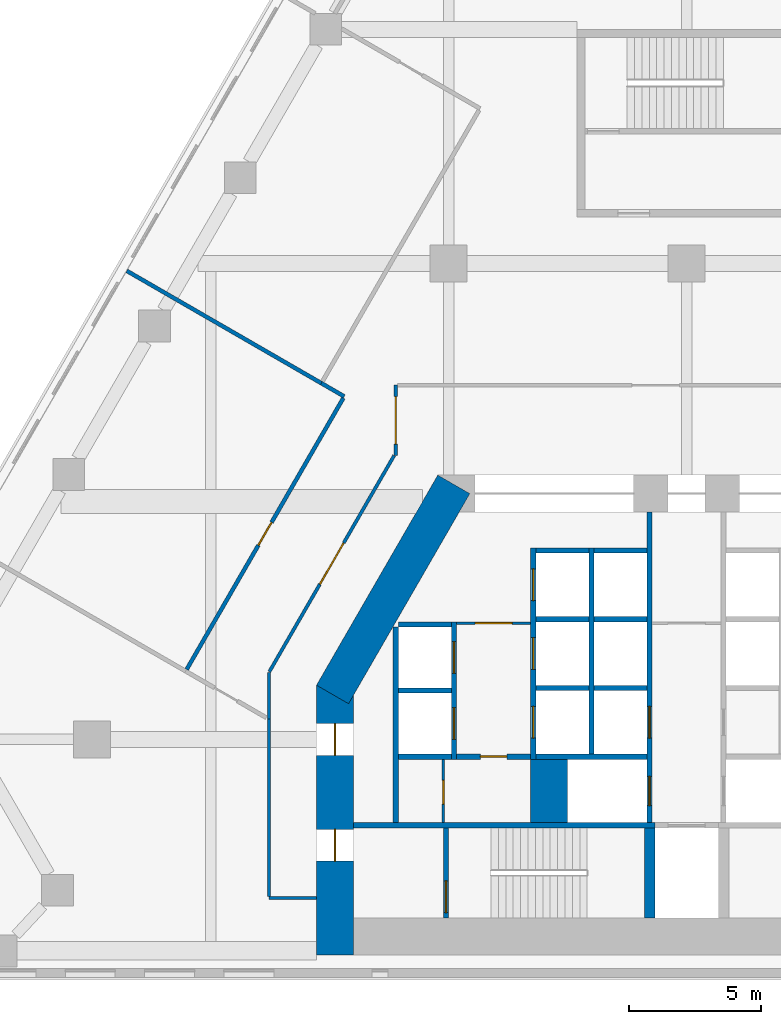
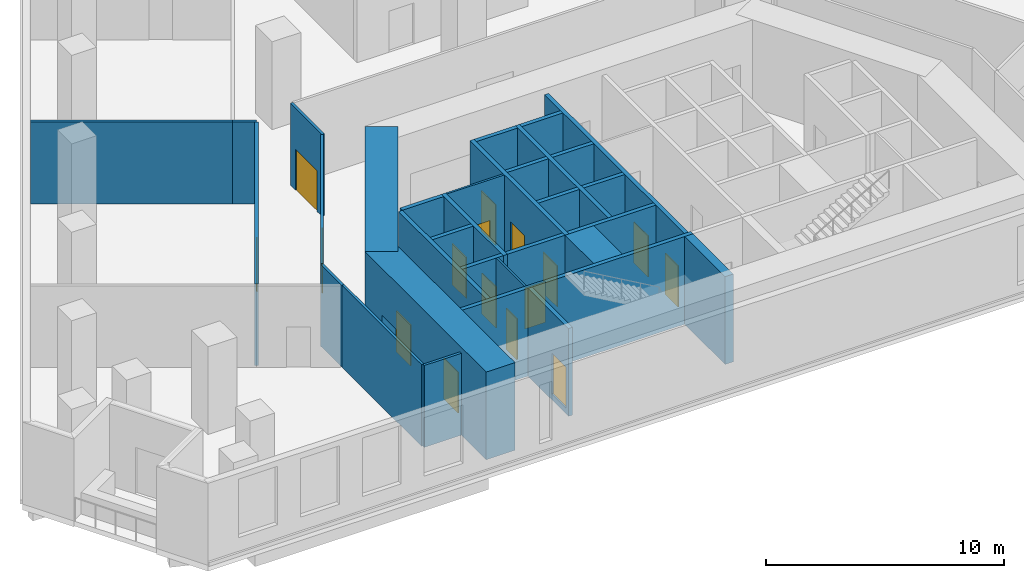
# One storey, part 4 of 14: 32 walls, 16 doors, 16 openings.
"""IFC4 building model written with IfcOpenShell, lengths in metres."""

from ifc_helpers import new_model, si_unit, direction, frame, frame_2d, origin, place, context, subcontext, project, spatial, rectangle, extrude, material, layer, layer_set, type_object, element, fill, save


model = new_model("IFC4")

# Units and contexts
model_context = context("Model", 3, precision=1e-05, world=origin(), true_north=direction((0.0, 1.0)))
body_context = subcontext(model_context, "Body", "Model", "MODEL_VIEW")
ifc_project = project(units=[si_unit("LENGTHUNIT", "METRE"), si_unit("AREAUNIT", "SQUARE_METRE"), si_unit("VOLUMEUNIT", "CUBIC_METRE"), si_unit("PLANEANGLEUNIT", "RADIAN"), si_unit("MASSUNIT", "GRAM", prefix="KILO")], contexts=[model_context])

# Site, building, storey
site_placement = place(None, origin())
site = spatial("IfcSite", under=ifc_project, at=site_placement, CompositionType="ELEMENT")
building_placement = place(site_placement, origin())
building = spatial("IfcBuilding", under=site, at=building_placement, Name="Fogline Exchange Tower", CompositionType="ELEMENT")
storey_placement = place(building_placement, frame((0.0, 0.0, 34.0)))
storey = spatial("IfcBuildingStorey", under=building, at=storey_placement, Name="L06", CompositionType="ELEMENT", Elevation=34.0)

# Wall, opening, door
ifc_material_1 = material(Name="Blockwork partition", Category="masonry")
ifc_layer_1 = layer(ifc_material_1, 0.10009765625)
ifc_layer_set_1 = layer_set([ifc_layer_1], Name="CW10")
wall_type_1 = type_object("IfcWallType", Name="CW10", PredefinedType="PARTITIONING", material=ifc_layer_set_1)
wall_1_placement = place(storey_placement, frame((-8.699951171875, 13.39990234375, 0.0), z_axis=(0.0, 0.0, 1.0), x_axis=(1.0, 0.0, 0.0)))
wall_1 = element("IfcWall", 1, at=wall_1_placement, inside=storey, type_object=wall_type_1, Name="Lift lobby partition", PredefinedType="PARTITIONING", context=body_context, shape_type="SweptSolid", body=[
    extrude(rectangle(XDim=2.800048828125, YDim=0.10009765625, at=frame_2d((1.39990234375, 0.0))), origin(), (0.0, 0.0, 1.0), 4.199951171875),
])
opening_1_placement = place(wall_1_placement, frame((0.699951171875, 0.0, 0.0)))
opening_1 = element("IfcOpeningElement", 2, at=opening_1_placement, cuts=wall_1, Name="Opening T01-C007", PredefinedType="OPENING", context=body_context, shape_type="SweptSolid", body=[
    extrude(rectangle(XDim=1.39990234375, YDim=2.10009765625, at=frame_2d((0.699951171875, 1.050048828125))), frame((0.0, 0.06005859375, 0.0), z_axis=(0.0, -1.0, 0.0), x_axis=(1.0, 0.0, 0.0)), (0.0, 0.0, 1.0), 0.1201171875),
])
ifc_material_2 = material(Name="Steel and timber fire door", Category="steel")
door_type_1 = type_object("IfcDoorType", Name="D-LB1", OperationType="DOUBLE_DOOR_SINGLE_SWING", PredefinedType="DOOR", material=ifc_material_2)
door_1_placement = place(opening_1_placement, frame((1.39990234375, 0.0, 0.0), z_axis=(0.0, 0.0, 1.0), x_axis=(-1.0, 0.0, 0.0)))
door_1 = element("IfcDoor", 3, at=door_1_placement, inside=storey, type_object=door_type_1, Name="Door to lift lobby", OperationType="DOUBLE_DOOR_SINGLE_SWING", OverallHeight=2.10009765625, OverallWidth=1.39990234375, PredefinedType="DOOR", context=body_context, shape_type="SweptSolid", body=[
    extrude(rectangle(XDim=1.39990234375, YDim=2.10009765625, at=frame_2d((0.699951171875, 1.050048828125))), frame((0.0, 0.02490234375, 0.0), z_axis=(0.0, -1.0, 0.0), x_axis=(1.0, 0.0, 0.0)), (0.0, 0.0, 1.0), 0.050048828125),
])
fill(opening_1, door_1)

wall_2_placement = place(storey_placement, frame((-9.199951171875, 5.85009765625, 0.0), z_axis=(0.0, 0.0, 1.0), x_axis=(0.0, 1.0, 0.0)))
wall_2 = element("IfcWall", 4, at=wall_2_placement, inside=storey, type_object=wall_type_1, Name="WC partition", PredefinedType="PARTITIONING", context=body_context, shape_type="SweptSolid", body=[
    extrude(rectangle(XDim=2.39990234375, YDim=0.10009765625, at=frame_2d((1.199951171875, 0.0))), origin(), (0.0, 0.0, 1.0), 4.199951171875),
])
opening_2_placement = place(wall_2_placement, frame((0.699951171875, 0.0, 0.0)))
opening_2 = element("IfcOpeningElement", 5, at=opening_2_placement, cuts=wall_2, Name="Opening T01-C009", PredefinedType="OPENING", context=body_context, shape_type="SweptSolid", body=[
    extrude(rectangle(XDim=0.89990234375, YDim=2.10009765625, at=frame_2d((0.449951171875, 1.050048828125))), frame((0.0, 0.06005859375, 0.0), z_axis=(0.0, -1.0, 0.0), x_axis=(1.0, 0.0, 0.0)), (0.0, 0.0, 1.0), 0.1201171875),
])
door_type_2 = type_object("IfcDoorType", Name="D-CS1", OperationType="SINGLE_SWING_RIGHT", PredefinedType="DOOR", material=ifc_material_2)
door_2_placement = place(opening_2_placement, origin())
door_2 = element("IfcDoor", 6, at=door_2_placement, inside=storey, type_object=door_type_2, Name="Door to Cleaner's Store", OperationType="SINGLE_SWING_LEFT", OverallHeight=2.10009765625, OverallWidth=0.89990234375, PredefinedType="DOOR", context=body_context, shape_type="SweptSolid", body=[
    extrude(rectangle(XDim=0.89990234375, YDim=2.10009765625, at=frame_2d((0.449951171875, 1.050048828125))), frame((0.0, 0.02490234375, 0.0), z_axis=(0.0, -1.0, 0.0), x_axis=(1.0, 0.0, 0.0)), (0.0, 0.0, 1.0), 0.050048828125),
])
fill(opening_2, door_2)

# Walls
ifc_material_3 = material(Name="Concrete C60", Category="concrete")
ifc_layer_2 = layer(ifc_material_3, 1.39990234375)
ifc_layer_set_2 = layer_set([ifc_layer_2], Name="CW140")
wall_type_2 = type_object("IfcWallType", Name="CW140", PredefinedType="SOLIDWALL", material=ifc_layer_set_2)
wall_3_placement = place(storey_placement, frame((-5.199951171875, 5.85009765625, -0.300048828125), z_axis=(0.0, 0.0, 1.0), x_axis=(0.0, 1.0, 0.0)))
element("IfcWall", 7, at=wall_3_placement, inside=storey, type_object=wall_type_2, Name="Lift shaft block wall", PredefinedType="SOLIDWALL", context=body_context, shape_type="SweptSolid", body=[
    extrude(rectangle(XDim=2.39990234375, YDim=1.39990234375, at=frame_2d((1.199951171875, 0.0))), origin(), (0.0, 0.0, 1.0), 4.5),
])
ifc_material_4 = material(Name="Concrete C40", Category="concrete")
ifc_layer_3 = layer(ifc_material_4, 0.199951171875)
ifc_layer_set_3 = layer_set([ifc_layer_3], Name="CW20")
wall_type_3 = type_object("IfcWallType", Name="CW20", PredefinedType="SOLIDWALL", material=ifc_layer_set_3)
wall_4_placement = place(storey_placement, frame((-11.0, 5.85009765625, 0.0), z_axis=(0.0, 0.0, 1.0), x_axis=(0.0, 1.0, 0.0)))
element("IfcWall", 8, at=wall_4_placement, inside=storey, type_object=wall_type_3, Name="Service room wall", PredefinedType="SOLIDWALL", context=body_context, shape_type="SweptSolid", body=[
    extrude(rectangle(XDim=7.39990234375, YDim=0.199951171875, at=frame_2d((3.699951171875, 0.0))), origin(), (0.0, 0.0, 1.0), 4.199951171875),
])

# Wall, opening, door
wall_5_placement = place(storey_placement, frame((-8.699951171875, 8.35009765625, 0.0), z_axis=(0.0, 0.0, 1.0), x_axis=(1.0, 0.0, 0.0)))
wall_5 = element("IfcWall", 9, at=wall_5_placement, inside=storey, type_object=wall_type_3, Name="WC wall", PredefinedType="SOLIDWALL", context=body_context, shape_type="SweptSolid", body=[
    extrude(rectangle(XDim=2.800048828125, YDim=0.199951171875, at=frame_2d((1.39990234375, 0.0))), origin(), (0.0, 0.0, 1.0), 4.199951171875),
])
opening_3_placement = place(wall_5_placement, frame((0.89990234375, 0.0, 0.0)))
opening_3 = element("IfcOpeningElement", 10, at=opening_3_placement, cuts=wall_5, Name="Opening T01-C008", PredefinedType="OPENING", context=body_context, shape_type="SweptSolid", body=[
    extrude(rectangle(XDim=1.0, YDim=2.10009765625, at=frame_2d((0.5, 1.050048828125))), frame((0.0, 0.10986328125, 0.0), z_axis=(0.0, -1.0, 0.0), x_axis=(1.0, 0.0, 0.0)), (0.0, 0.0, 1.0), 0.219970703125),
])
door_type_3 = type_object("IfcDoorType", Name="D-WC1", OperationType="SINGLE_SWING_LEFT", PredefinedType="DOOR", material=ifc_material_2)
door_3_placement = place(opening_3_placement, frame((1.0, 0.0, 0.0), z_axis=(0.0, 0.0, 1.0), x_axis=(-1.0, 0.0, 0.0)))
door_3 = element("IfcDoor", 11, at=door_3_placement, inside=storey, type_object=door_type_3, Name="Door to Men's WC", OperationType="SINGLE_SWING_LEFT", OverallHeight=2.10009765625, OverallWidth=1.0, PredefinedType="DOOR", context=body_context, shape_type="SweptSolid", body=[
    extrude(rectangle(XDim=1.0, YDim=2.10009765625, at=frame_2d((0.5, 1.050048828125))), frame((0.0, 0.02490234375, 0.0), z_axis=(0.0, -1.0, 0.0), x_axis=(1.0, 0.0, 0.0)), (0.0, 0.0, 1.0), 0.050048828125),
])
fill(opening_3, door_3)

# Wall
ifc_layer_4 = layer(ifc_material_4, 0.199951171875)
ifc_layer_set_4 = layer_set([ifc_layer_4], Name="CW20R")
wall_type_4 = type_object("IfcWallType", Name="CW20R", PredefinedType="SOLIDWALL", material=ifc_layer_set_4)
wall_6_placement = place(storey_placement, frame((-12.60009765625, 5.75, -0.300048828125), z_axis=(0.0, 0.0, 1.0), x_axis=(1.0, 0.0, 0.0)))
element("IfcWall", 12, at=wall_6_placement, inside=storey, type_object=wall_type_4, Name="Stair enclosure wall", PredefinedType="SOLIDWALL", context=body_context, shape_type="SweptSolid", body=[
    extrude(rectangle(XDim=11.400146484375, YDim=0.199951171875, at=frame_2d((5.7001953125, 0.0))), origin(), (0.0, 0.0, 1.0), 4.5),
])

# Wall, opening, door
wall_7_placement = place(storey_placement, frame((-9.10009765625, 2.25, -0.300048828125), z_axis=(0.0, 0.0, 1.0), x_axis=(0.0, 1.0, 0.0)))
wall_7 = element("IfcWall", 13, at=wall_7_placement, inside=storey, type_object=wall_type_4, Name="Stair enclosure wall", PredefinedType="SOLIDWALL", context=body_context, shape_type="SweptSolid", body=[
    extrude(rectangle(XDim=3.39990234375, YDim=0.199951171875, at=frame_2d((1.699951171875, 0.0))), origin(), (0.0, 0.0, 1.0), 4.5),
])
opening_4_placement = place(wall_7_placement, frame((0.199951171875, 0.0, 0.300048828125)))
opening_4 = element("IfcOpeningElement", 14, at=opening_4_placement, cuts=wall_7, Name="Opening T01-C011", PredefinedType="OPENING", context=body_context, shape_type="SweptSolid", body=[
    extrude(rectangle(XDim=1.199951171875, YDim=2.10009765625, at=frame_2d((0.60009765625, 1.050048828125))), frame((0.0, 0.10986328125, 0.0), z_axis=(0.0, -1.0, 0.0), x_axis=(1.0, 0.0, 0.0)), (0.0, 0.0, 1.0), 0.219970703125),
])
door_type_4 = type_object("IfcDoorType", Name="D-ST1", OperationType="SINGLE_SWING_LEFT", PredefinedType="DOOR", material=ifc_material_2)
door_4_placement = place(opening_4_placement, frame((1.199951171875, 0.0, 0.0), z_axis=(0.0, 0.0, 1.0), x_axis=(-1.0, 0.0, 0.0)))
door_4 = element("IfcDoor", 15, at=door_4_placement, inside=storey, type_object=door_type_4, Name="Stair door ST1", OperationType="SINGLE_SWING_RIGHT", OverallHeight=2.10009765625, OverallWidth=1.199951171875, PredefinedType="DOOR", context=body_context, shape_type="SweptSolid", body=[
    extrude(rectangle(XDim=1.199951171875, YDim=2.10009765625, at=frame_2d((0.60009765625, 1.050048828125))), frame((0.0, 0.02490234375, 0.0), z_axis=(0.0, -1.0, 0.0), x_axis=(1.0, 0.0, 0.0)), (0.0, 0.0, 1.0), 0.050048828125),
])
fill(opening_4, door_4)

# Wall, openings, doors
ifc_layer_5 = layer(ifc_material_4, 0.199951171875)
ifc_layer_set_5 = layer_set([ifc_layer_5], Name="CW20S")
wall_type_5 = type_object("IfcWallType", Name="CW20S", PredefinedType="SOLIDWALL", material=ifc_layer_set_5)
wall_8_placement = place(storey_placement, frame((-8.800048828125, 8.25, -0.300048828125), z_axis=(0.0, 0.0, 1.0), x_axis=(0.0, 1.0, 0.0)))
wall_8 = element("IfcWall", 16, at=wall_8_placement, inside=storey, type_object=wall_type_5, Name="Lift shaft wall", PredefinedType="SOLIDWALL", context=body_context, shape_type="SweptSolid", body=[
    extrude(rectangle(XDim=5.199951171875, YDim=0.199951171875, at=frame_2d((2.60009765625, 0.0))), origin(), (0.0, 0.0, 1.0), 4.5),
])
opening_5_placement = place(wall_8_placement, frame((0.75, 0.0, 0.300048828125)))
opening_5 = element("IfcOpeningElement", 17, at=opening_5_placement, cuts=wall_8, Name="Opening T01-LD01", PredefinedType="OPENING", context=body_context, shape_type="SweptSolid", body=[
    extrude(rectangle(XDim=1.199951171875, YDim=2.10009765625, at=frame_2d((0.60009765625, 1.050048828125))), frame((0.0, 0.10986328125, 0.0), z_axis=(0.0, -1.0, 0.0), x_axis=(1.0, 0.0, 0.0)), (0.0, 0.0, 1.0), 0.219970703125),
])
opening_6_placement = place(wall_8_placement, frame((3.25, 0.0, 0.300048828125)))
opening_6 = element("IfcOpeningElement", 18, at=opening_6_placement, cuts=wall_8, Name="Opening T01-LD02", PredefinedType="OPENING", context=body_context, shape_type="SweptSolid", body=[
    extrude(rectangle(XDim=1.199951171875, YDim=2.10009765625, at=frame_2d((0.60009765625, 1.050048828125))), frame((0.0, 0.10986328125, 0.0), z_axis=(0.0, -1.0, 0.0), x_axis=(1.0, 0.0, 0.0)), (0.0, 0.0, 1.0), 0.219970703125),
])
door_type_5 = type_object("IfcDoorType", Name="LD1", OperationType="SLIDING_TO_LEFT", PredefinedType="DOOR", material=ifc_material_2)
door_5_placement = place(opening_5_placement, origin())
door_5 = element("IfcDoor", 19, at=door_5_placement, inside=storey, type_object=door_type_5, Name="Landing door LR1", OperationType="SLIDING_TO_LEFT", OverallHeight=2.10009765625, OverallWidth=1.199951171875, PredefinedType="DOOR", context=body_context, shape_type="SweptSolid", body=[
    extrude(rectangle(XDim=1.199951171875, YDim=2.10009765625, at=frame_2d((0.60009765625, 1.050048828125))), frame((0.0, 0.02490234375, 0.0), z_axis=(0.0, -1.0, 0.0), x_axis=(1.0, 0.0, 0.0)), (0.0, 0.0, 1.0), 0.050048828125),
])
fill(opening_5, door_5)
door_6_placement = place(opening_6_placement, origin())
door_6 = element("IfcDoor", 20, at=door_6_placement, inside=storey, type_object=door_type_5, Name="Landing door LR2", OperationType="SLIDING_TO_LEFT", OverallHeight=2.10009765625, OverallWidth=1.199951171875, PredefinedType="DOOR", context=body_context, shape_type="SweptSolid", body=[
    extrude(rectangle(XDim=1.199951171875, YDim=2.10009765625, at=frame_2d((0.60009765625, 1.050048828125))), frame((0.0, 0.02490234375, 0.0), z_axis=(0.0, -1.0, 0.0), x_axis=(1.0, 0.0, 0.0)), (0.0, 0.0, 1.0), 0.050048828125),
])
fill(opening_6, door_6)

wall_9_placement = place(storey_placement, frame((-5.800048828125, 8.25, -0.300048828125), z_axis=(0.0, 0.0, 1.0), x_axis=(0.0, 1.0, 0.0)))
wall_9 = element("IfcWall", 21, at=wall_9_placement, inside=storey, type_object=wall_type_5, Name="Lift shaft wall", PredefinedType="SOLIDWALL", context=body_context, shape_type="SweptSolid", body=[
    extrude(rectangle(XDim=8.0, YDim=0.199951171875, at=frame_2d((4.0, 0.0))), origin(), (0.0, 0.0, 1.0), 4.5),
])
opening_7_placement = place(wall_9_placement, frame((0.800048828125, 0.0, 0.300048828125)))
opening_7 = element("IfcOpeningElement", 22, at=opening_7_placement, cuts=wall_9, Name="Opening T01-LD03", PredefinedType="OPENING", context=body_context, shape_type="SweptSolid", body=[
    extrude(rectangle(XDim=1.199951171875, YDim=2.10009765625, at=frame_2d((0.60009765625, 1.050048828125))), frame((0.0, 0.10986328125, 0.0), z_axis=(0.0, -1.0, 0.0), x_axis=(1.0, 0.0, 0.0)), (0.0, 0.0, 1.0), 0.219970703125),
])
opening_8_placement = place(wall_9_placement, frame((3.39990234375, 0.0, 0.300048828125)))
opening_8 = element("IfcOpeningElement", 23, at=opening_8_placement, cuts=wall_9, Name="Opening T01-LD04", PredefinedType="OPENING", context=body_context, shape_type="SweptSolid", body=[
    extrude(rectangle(XDim=1.199951171875, YDim=2.10009765625, at=frame_2d((0.60009765625, 1.050048828125))), frame((0.0, 0.10986328125, 0.0), z_axis=(0.0, -1.0, 0.0), x_axis=(1.0, 0.0, 0.0)), (0.0, 0.0, 1.0), 0.219970703125),
])
opening_9_placement = place(wall_9_placement, frame((6.0, 0.0, 0.300048828125)))
opening_9 = element("IfcOpeningElement", 24, at=opening_9_placement, cuts=wall_9, Name="Opening T01-LD05", PredefinedType="OPENING", context=body_context, shape_type="SweptSolid", body=[
    extrude(rectangle(XDim=1.199951171875, YDim=2.10009765625, at=frame_2d((0.60009765625, 1.050048828125))), frame((0.0, 0.10986328125, 0.0), z_axis=(0.0, -1.0, 0.0), x_axis=(1.0, 0.0, 0.0)), (0.0, 0.0, 1.0), 0.219970703125),
])
door_7_placement = place(opening_7_placement, origin())
door_7 = element("IfcDoor", 25, at=door_7_placement, inside=storey, type_object=door_type_5, Name="Landing door LR3", OperationType="SLIDING_TO_LEFT", OverallHeight=2.10009765625, OverallWidth=1.199951171875, PredefinedType="DOOR", context=body_context, shape_type="SweptSolid", body=[
    extrude(rectangle(XDim=1.199951171875, YDim=2.10009765625, at=frame_2d((0.60009765625, 1.050048828125))), frame((0.0, 0.02490234375, 0.0), z_axis=(0.0, -1.0, 0.0), x_axis=(1.0, 0.0, 0.0)), (0.0, 0.0, 1.0), 0.050048828125),
])
fill(opening_7, door_7)
door_8_placement = place(opening_8_placement, origin())
door_8 = element("IfcDoor", 26, at=door_8_placement, inside=storey, type_object=door_type_5, Name="Landing door LR4", OperationType="SLIDING_TO_LEFT", OverallHeight=2.10009765625, OverallWidth=1.199951171875, PredefinedType="DOOR", context=body_context, shape_type="SweptSolid", body=[
    extrude(rectangle(XDim=1.199951171875, YDim=2.10009765625, at=frame_2d((0.60009765625, 1.050048828125))), frame((0.0, 0.02490234375, 0.0), z_axis=(0.0, -1.0, 0.0), x_axis=(1.0, 0.0, 0.0)), (0.0, 0.0, 1.0), 0.050048828125),
])
fill(opening_8, door_8)
door_9_placement = place(opening_9_placement, origin())
door_9 = element("IfcDoor", 27, at=door_9_placement, inside=storey, type_object=door_type_5, Name="Landing door LR5", OperationType="SLIDING_TO_LEFT", OverallHeight=2.10009765625, OverallWidth=1.199951171875, PredefinedType="DOOR", context=body_context, shape_type="SweptSolid", body=[
    extrude(rectangle(XDim=1.199951171875, YDim=2.10009765625, at=frame_2d((0.60009765625, 1.050048828125))), frame((0.0, 0.02490234375, 0.0), z_axis=(0.0, -1.0, 0.0), x_axis=(1.0, 0.0, 0.0)), (0.0, 0.0, 1.0), 0.050048828125),
])
fill(opening_9, door_9)

# Wall
wall_10_placement = place(storey_placement, frame((-3.60009765625, 8.449951171875, -0.300048828125), z_axis=(0.0, 0.0, 1.0), x_axis=(0.0, 1.0, 0.0)))
element("IfcWall", 28, at=wall_10_placement, inside=storey, type_object=wall_type_5, Name="Lift shaft wall", PredefinedType="SOLIDWALL", context=body_context, shape_type="SweptSolid", body=[
    extrude(rectangle(XDim=7.800048828125, YDim=0.199951171875, at=frame_2d((3.89990234375, 0.0))), origin(), (0.0, 0.0, 1.0), 4.5),
])

# Wall, openings, doors
wall_11_placement = place(storey_placement, frame((-1.39990234375, 5.85009765625, -0.300048828125), z_axis=(0.0, 0.0, 1.0), x_axis=(0.0, 1.0, 0.0)))
wall_11 = element("IfcWall", 29, at=wall_11_placement, inside=storey, type_object=wall_type_5, Name="Lift lobby wall", PredefinedType="SOLIDWALL", context=body_context, shape_type="SweptSolid", body=[
    extrude(rectangle(XDim=11.75, YDim=0.199951171875, at=frame_2d((5.875, 0.0))), origin(), (0.0, 0.0, 1.0), 4.5),
])
opening_10_placement = place(wall_11_placement, frame((3.199951171875, 0.0, 0.300048828125)))
opening_10 = element("IfcOpeningElement", 30, at=opening_10_placement, cuts=wall_11, Name="Opening T01-LD06", PredefinedType="OPENING", context=body_context, shape_type="SweptSolid", body=[
    extrude(rectangle(XDim=1.199951171875, YDim=2.10009765625, at=frame_2d((0.60009765625, 1.050048828125))), frame((0.0, 0.10986328125, 0.0), z_axis=(0.0, -1.0, 0.0), x_axis=(1.0, 0.0, 0.0)), (0.0, 0.0, 1.0), 0.219970703125),
])
opening_11_placement = place(wall_11_placement, frame((0.64990234375, 0.0, 0.300048828125)))
opening_11 = element("IfcOpeningElement", 31, at=opening_11_placement, cuts=wall_11, Name="Opening T01-LD07", PredefinedType="OPENING", context=body_context, shape_type="SweptSolid", body=[
    extrude(rectangle(XDim=1.10009765625, YDim=2.10009765625, at=frame_2d((0.550048828125, 1.050048828125))), frame((0.0, 0.10986328125, 0.0), z_axis=(0.0, -1.0, 0.0), x_axis=(1.0, 0.0, 0.0)), (0.0, 0.0, 1.0), 0.219970703125),
])
door_10_placement = place(opening_10_placement, origin())
door_10 = element("IfcDoor", 32, at=door_10_placement, inside=storey, type_object=door_type_5, Name="Landing door LR6", OperationType="SLIDING_TO_LEFT", OverallHeight=2.10009765625, OverallWidth=1.199951171875, PredefinedType="DOOR", context=body_context, shape_type="SweptSolid", body=[
    extrude(rectangle(XDim=1.199951171875, YDim=2.10009765625, at=frame_2d((0.60009765625, 1.050048828125))), frame((0.0, 0.02490234375, 0.0), z_axis=(0.0, -1.0, 0.0), x_axis=(1.0, 0.0, 0.0)), (0.0, 0.0, 1.0), 0.050048828125),
])
fill(opening_10, door_10)
door_type_6 = type_object("IfcDoorType", Name="LD2", OperationType="SLIDING_TO_RIGHT", PredefinedType="DOOR", material=ifc_material_2)
door_11_placement = place(opening_11_placement, origin())
door_11 = element("IfcDoor", 33, at=door_11_placement, inside=storey, type_object=door_type_6, Name="Landing door FF1", OperationType="SLIDING_TO_RIGHT", OverallHeight=2.10009765625, OverallWidth=1.10009765625, PredefinedType="DOOR", context=body_context, shape_type="SweptSolid", body=[
    extrude(rectangle(XDim=1.10009765625, YDim=2.10009765625, at=frame_2d((0.550048828125, 1.050048828125))), frame((0.0, 0.02490234375, 0.0), z_axis=(0.0, -1.0, 0.0), x_axis=(1.0, 0.0, 0.0)), (0.0, 0.0, 1.0), 0.050048828125),
])
fill(opening_11, door_11)

# Walls
wall_12_placement = place(storey_placement, frame((-10.89990234375, 8.35009765625, -0.300048828125), z_axis=(0.0, 0.0, 1.0), x_axis=(1.0, 0.0, 0.0)))
element("IfcWall", 34, at=wall_12_placement, inside=storey, type_object=wall_type_5, Name="Lift shaft wall", PredefinedType="SOLIDWALL", context=body_context, shape_type="SweptSolid", body=[
    extrude(rectangle(XDim=2.0, YDim=0.199951171875, at=frame_2d((1.0, 0.0))), origin(), (0.0, 0.0, 1.0), 4.5),
])
wall_13_placement = place(storey_placement, frame((-5.699951171875, 8.35009765625, -0.300048828125), z_axis=(0.0, 0.0, 1.0), x_axis=(1.0, 0.0, 0.0)))
element("IfcWall", 35, at=wall_13_placement, inside=storey, type_object=wall_type_5, Name="Lift shaft wall", PredefinedType="SOLIDWALL", context=body_context, shape_type="SweptSolid", body=[
    extrude(rectangle(XDim=4.199951171875, YDim=0.199951171875, at=frame_2d((2.10009765625, 0.0))), origin(), (0.0, 0.0, 1.0), 4.5),
])
for number, where, z_axis, x_axis, name in (
    (36, (-10.89990234375, 10.85009765625, -0.300048828125), (0.0, 0.0, 1.0), (1.0, 0.0, 0.0), "Lift shaft wall"),
    (37, (-10.89990234375, 13.35009765625, -0.300048828125), (0.0, 0.0, 1.0), (1.0, 0.0, 0.0), "Lift shaft wall"),
    (38, (-5.699951171875, 10.949951171875, -0.300048828125), (0.0, 0.0, 1.0), (1.0, 0.0, 0.0), "Lift shaft wall"),
    (39, (-5.699951171875, 13.550048828125, -0.300048828125), (0.0, 0.0, 1.0), (1.0, 0.0, 0.0), "Lift shaft wall"),
    (40, (-5.699951171875, 16.14990234375, -0.300048828125), (0.0, 0.0, 1.0), (1.0, 0.0, 0.0), "Lift shaft wall"),
    (41, (-3.5, 10.949951171875, -0.300048828125), (0.0, 0.0, 1.0), (1.0, 0.0, 0.0), "Lift shaft wall"),
    (42, (-3.5, 13.550048828125, -0.300048828125), (0.0, 0.0, 1.0), (1.0, 0.0, 0.0), "Lift shaft wall"),
    (43, (-3.5, 16.14990234375, -0.300048828125), (0.0, 0.0, 1.0), (1.0, 0.0, 0.0), "Lift shaft wall"),
):
    element("IfcWall", number, at=place(storey_placement, frame(where, z_axis=z_axis, x_axis=x_axis)), inside=storey, type_object=wall_type_5, Name=name, PredefinedType="SOLIDWALL", context=body_context, shape_type="SweptSolid", body=[
        extrude(rectangle(XDim=2.0, YDim=0.199951171875, at=frame_2d((1.0, 0.0))), origin(), (0.0, 0.0, 1.0), 4.5),
    ])
ifc_layer_6 = layer(ifc_material_4, 0.39990234375)
ifc_layer_set_6 = layer_set([ifc_layer_6], Name="CW40R")
wall_type_6 = type_object("IfcWallType", Name="CW40R", PredefinedType="SOLIDWALL", material=ifc_layer_set_6)
wall_14_placement = place(storey_placement, frame((-1.39990234375, 2.25, -0.300048828125), z_axis=(0.0, 0.0, 1.0), x_axis=(0.0, 1.0, 0.0)))
element("IfcWall", 44, at=wall_14_placement, inside=storey, type_object=wall_type_6, Name="Stair and lift shaft wall", PredefinedType="SOLIDWALL", context=body_context, shape_type="SweptSolid", body=[
    extrude(rectangle(XDim=3.39990234375, YDim=0.39990234375, at=frame_2d((1.699951171875, 0.0))), origin(), (0.0, 0.0, 1.0), 4.5),
])

# Wall, opening, door
ifc_material_5 = material(Name="Plasterboard corridor partition with mineral wool, 2 layers each side")
ifc_layer_7 = layer(ifc_material_5, 0.125)
ifc_layer_set_7 = layer_set([ifc_layer_7], Name="PW2")
wall_type_7 = type_object("IfcWallType", Name="PW2", PredefinedType="PARTITIONING", material=ifc_layer_set_7)
wall_15_placement = place(storey_placement, frame((-11.0, 19.739990234375, 0.0), z_axis=(0.0, 0.0, 1.0), x_axis=(0.0, 1.0, 0.0)))
wall_15 = element("IfcWall", 45, at=wall_15_placement, inside=storey, type_object=wall_type_7, Name="wall-L06-W005", PredefinedType="PARTITIONING", context=body_context, shape_type="SweptSolid", body=[
    extrude(rectangle(XDim=2.659912109375, YDim=0.125, at=frame_2d((1.330078125, 0.0))), origin(), (0.0, 0.0, 1.0), 4.199951171875),
])
opening_12_placement = place(wall_15_placement, frame((0.429931640625, 0.0, 0.0)))
opening_12 = element("IfcOpeningElement", 46, at=opening_12_placement, cuts=wall_15, Name="Opening T01-D002", PredefinedType="OPENING", context=body_context, shape_type="SweptSolid", body=[
    extrude(rectangle(XDim=1.800048828125, YDim=2.10009765625, at=frame_2d((0.89990234375, 1.050048828125))), frame((0.0, 0.072509765625, 0.0), z_axis=(0.0, -1.0, 0.0), x_axis=(1.0, 0.0, 0.0)), (0.0, 0.0, 1.0), 0.14501953125),
])
ifc_material_6 = material(Name="Fire-rated timber door leaves with steel frame", Category="steel")
door_type_7 = type_object("IfcDoorType", Name="D4", OperationType="DOUBLE_DOOR_SINGLE_SWING", PredefinedType="DOOR", material=ifc_material_6)
door_12_placement = place(opening_12_placement, frame((1.800048828125, 0.0, 0.0), z_axis=(0.0, 0.0, 1.0), x_axis=(-1.0, 0.0, 0.0)))
door_12 = element("IfcDoor", 47, at=door_12_placement, inside=storey, type_object=door_type_7, Name="door-L06-D002", OperationType="DOUBLE_DOOR_SINGLE_SWING", OverallHeight=2.10009765625, OverallWidth=1.800048828125, PredefinedType="DOOR", context=body_context, shape_type="SweptSolid", body=[
    extrude(rectangle(XDim=1.800048828125, YDim=2.10009765625, at=frame_2d((0.89990234375, 1.050048828125))), frame((0.0, 0.02490234375, 0.0), z_axis=(0.0, -1.0, 0.0), x_axis=(1.0, 0.0, 0.0)), (0.0, 0.0, 1.0), 0.050048828125),
])
fill(opening_12, door_12)

# Wall
wall_16_placement = place(storey_placement, frame((-15.800048828125, 9.765869140625, 0.0), z_axis=(0.0, 0.0, 1.0), x_axis=(0.0, 1.0, 0.0)))
element("IfcWall", 48, at=wall_16_placement, inside=storey, type_object=wall_type_7, Name="wall-L06-W009", PredefinedType="PARTITIONING", context=body_context, shape_type="SweptSolid", body=[
    extrude(rectangle(XDim=1.76904296875, YDim=0.125, at=frame_2d((0.884521484375, 0.0))), origin(), (0.0, 0.0, 1.0), 4.199951171875),
])

# Wall, opening, door
wall_17_placement = place(storey_placement, frame((-15.784423828125, 11.56201171875, 0.0), z_axis=(0.0, 0.0, 1.0), x_axis=(0.500006656899, 0.866021560388, 0.0)))
wall_17 = element("IfcWall", 49, at=wall_17_placement, inside=storey, type_object=wall_type_7, Name="wall-L06-W010", PredefinedType="PARTITIONING", context=body_context, shape_type="SweptSolid", body=[
    extrude(rectangle(XDim=9.443603515625, YDim=0.125, at=frame_2d((4.7216796875, 0.0))), origin(), (0.0, 0.0, 1.0), 4.199951171875),
])
opening_13_placement = place(wall_17_placement, frame((3.822021484375, 0.0, 0.0)))
opening_13 = element("IfcOpeningElement", 50, at=opening_13_placement, cuts=wall_17, Name="Opening T01-D005", PredefinedType="OPENING", context=body_context, shape_type="SweptSolid", body=[
    extrude(rectangle(XDim=1.800048828125, YDim=2.10009765625, at=frame_2d((0.89990234375, 1.050048828125))), frame((0.0, 0.072509765625, 0.0), z_axis=(0.0, -1.0, 0.0), x_axis=(1.0, 0.0, 0.0)), (0.0, 0.0, 1.0), 0.14501953125),
])
door_13_placement = place(opening_13_placement, frame((1.800048828125, 0.0, 0.0), z_axis=(0.0, 0.0, 1.0), x_axis=(-1.0, 0.0, 0.0)))
door_13 = element("IfcDoor", 51, at=door_13_placement, inside=storey, type_object=door_type_7, Name="door-L06-D005", OperationType="DOUBLE_DOOR_SINGLE_SWING", OverallHeight=2.10009765625, OverallWidth=1.800048828125, PredefinedType="DOOR", context=body_context, shape_type="SweptSolid", body=[
    extrude(rectangle(XDim=1.800048828125, YDim=2.10009765625, at=frame_2d((0.89990234375, 1.050048828125))), frame((0.0, 0.02490234375, 0.0), z_axis=(0.0, -1.0, 0.0), x_axis=(1.0, 0.0, 0.0)), (0.0, 0.0, 1.0), 0.050048828125),
])
fill(opening_13, door_13)

# Walls
wall_18_placement = place(storey_placement, frame((-14.0, 3.0, 0.0), z_axis=(0.0, 0.0, 1.0), x_axis=(-1.0, 0.0, 0.0)))
element("IfcWall", 52, at=wall_18_placement, inside=storey, type_object=wall_type_7, Name="wall-L06-W011", PredefinedType="PARTITIONING", context=body_context, shape_type="SweptSolid", body=[
    extrude(rectangle(XDim=1.800048828125, YDim=0.125, at=frame_2d((0.89990234375, 0.0))), origin(), (0.0, 0.0, 1.0), 4.199951171875),
])
wall_19_placement = place(storey_placement, frame((-15.800048828125, 3.0625, 0.0), z_axis=(0.0, 0.0, 1.0), x_axis=(0.0, 1.0, 0.0)))
element("IfcWall", 53, at=wall_19_placement, inside=storey, type_object=wall_type_7, Name="wall-L06-W012", PredefinedType="PARTITIONING", context=body_context, shape_type="SweptSolid", body=[
    extrude(rectangle(XDim=6.703369140625, YDim=0.125, at=frame_2d((3.3515625, 0.0))), origin(), (0.0, 0.0, 1.0), 4.199951171875),
])

# Wall, opening, door
ifc_material_7 = material(Name="Plasterboard demising partition with mineral wool and acoustic board")
ifc_layer_8 = layer(ifc_material_7, 0.14990234375)
ifc_layer_set_8 = layer_set([ifc_layer_8], Name="PW3")
wall_type_8 = type_object("IfcWallType", Name="PW3", PredefinedType="PARTITIONING", material=ifc_layer_set_8)
wall_20_placement = place(storey_placement, frame((-18.912109375, 11.6494140625, 0.0), z_axis=(0.0, 0.0, 1.0), x_axis=(0.500010179592, 0.866019526514, 0.0)))
wall_20 = element("IfcWall", 54, at=wall_20_placement, inside=storey, type_object=wall_type_8, Name="wall-L06-W033", PredefinedType="PARTITIONING", context=body_context, shape_type="SweptSolid", body=[
    extrude(rectangle(XDim=11.849853515625, YDim=0.14990234375, at=frame_2d((5.9248046875, 0.0))), origin(), (0.0, 0.0, 1.0), 4.199951171875),
])
opening_14_placement = place(wall_20_placement, frame((5.425048828125, 0.0, 0.0)))
opening_14 = element("IfcOpeningElement", 55, at=opening_14_placement, cuts=wall_20, Name="Opening T01-D012", PredefinedType="OPENING", context=body_context, shape_type="SweptSolid", body=[
    extrude(rectangle(XDim=1.0, YDim=2.10009765625, at=frame_2d((0.5, 1.050048828125))), frame((0.0, 0.0849609375, 0.0), z_axis=(0.0, -1.0, 0.0), x_axis=(1.0, 0.0, 0.0)), (0.0, 0.0, 1.0), 0.169921875),
])
ifc_material_8 = material(Name="Fire-rated timber door leaf with steel frame", Category="steel")
door_type_8 = type_object("IfcDoorType", Name="D3", OperationType="SINGLE_SWING_LEFT", PredefinedType="DOOR", material=ifc_material_8)
door_14_placement = place(opening_14_placement, origin())
door_14 = element("IfcDoor", 56, at=door_14_placement, inside=storey, type_object=door_type_8, Name="door-L06-D012", OperationType="SINGLE_SWING_LEFT", OverallHeight=2.10009765625, OverallWidth=1.0, PredefinedType="DOOR", context=body_context, shape_type="SweptSolid", body=[
    extrude(rectangle(XDim=1.0, YDim=2.10009765625, at=frame_2d((0.5, 1.050048828125))), frame((0.0, 0.02490234375, 0.0), z_axis=(0.0, -1.0, 0.0), x_axis=(1.0, 0.0, 0.0)), (0.0, 0.0, 1.0), 0.050048828125),
])
fill(opening_14, door_14)

# Walls
wall_21_placement = place(storey_placement, frame((-12.94970703125, 21.9765625, 0.0), z_axis=(0.0, 0.0, 1.0), x_axis=(-0.866010750942, 0.50002537861, 0.0)))
element("IfcWall", 57, at=wall_21_placement, inside=storey, type_object=wall_type_8, Name="wall-L06-W034", PredefinedType="PARTITIONING", context=body_context, shape_type="SweptSolid", body=[
    extrude(rectangle(XDim=1.0, YDim=0.14990234375, at=frame_2d((0.5, 0.0))), origin(), (0.0, 0.0, 1.0), 4.199951171875),
])
wall_22_placement = place(storey_placement, frame((-13.815673828125, 22.4765625, 0.0), z_axis=(0.0, 0.0, 1.0), x_axis=(-0.866021522889, 0.500006721848, 0.0)))
element("IfcWall", 58, at=wall_22_placement, inside=storey, type_object=wall_type_8, Name="wall-L06-W043", PredefinedType="PARTITIONING", context=body_context, shape_type="SweptSolid", body=[
    extrude(rectangle(XDim=8.5, YDim=0.14990234375, at=frame_2d((4.25, 0.0))), origin(), (0.0, 0.0, 1.0), 4.199951171875),
])
ifc_layer_9 = layer(ifc_material_3, 1.39990234375)
ifc_layer_set_9 = layer_set([ifc_layer_9], Name="SW01")
wall_type_9 = type_object("IfcWallType", Name="SW01", PredefinedType="SHEAR", material=ifc_layer_set_9)
wall_23_placement = place(storey_placement, frame((-8.805419921875, 18.64990234375, 0.0), z_axis=(0.0, 0.0, 1.0), x_axis=(-0.50000187635, -0.866024320471, 0.0)))
element("IfcWall", 59, at=wall_23_placement, inside=storey, type_object=wall_type_9, Name="L06-W905", PredefinedType="SHEAR", context=body_context, shape_type="SweptSolid", body=[
    extrude(rectangle(XDim=9.1767578125, YDim=1.39990234375, at=frame_2d((4.58837890625, 0.0))), origin(), (0.0, 0.0, 1.0), 4.5),
])

# Wall, openings, doors
wall_24_placement = place(storey_placement, frame((-13.300048828125, 11.052490234375, 0.0), z_axis=(0.0, 0.0, 1.0), x_axis=(0.0, -1.0, 0.0)))
wall_24 = element("IfcWall", 60, at=wall_24_placement, inside=storey, type_object=wall_type_9, Name="L06-W906", PredefinedType="SHEAR", context=body_context, shape_type="SweptSolid", body=[
    extrude(rectangle(XDim=10.202392578125, YDim=1.39990234375, at=frame_2d((5.10107421875, 0.0))), origin(), (0.0, 0.0, 1.0), 4.5),
])
opening_15_placement = place(wall_24_placement, frame((5.45263671875, 0.0, 0.0)))
opening_15 = element("IfcOpeningElement", 61, at=opening_15_placement, cuts=wall_24, Name="Opening T01-C010", PredefinedType="OPENING", context=body_context, shape_type="SweptSolid", body=[
    extrude(rectangle(XDim=1.199951171875, YDim=2.10009765625, at=frame_2d((0.60009765625, 1.050048828125))), frame((0.0, 0.7099609375, 0.0), z_axis=(0.0, -1.0, 0.0), x_axis=(1.0, 0.0, 0.0)), (0.0, 0.0, 1.0), 1.419921875),
])
opening_16_placement = place(wall_24_placement, frame((1.45263671875, 0.0, 0.0)))
opening_16 = element("IfcOpeningElement", 62, at=opening_16_placement, cuts=wall_24, Name="Opening T01-C012", PredefinedType="OPENING", context=body_context, shape_type="SweptSolid", body=[
    extrude(rectangle(XDim=1.199951171875, YDim=2.10009765625, at=frame_2d((0.60009765625, 1.050048828125))), frame((0.0, 0.7099609375, 0.0), z_axis=(0.0, -1.0, 0.0), x_axis=(1.0, 0.0, 0.0)), (0.0, 0.0, 1.0), 1.419921875),
])
door_type_9 = type_object("IfcDoorType", Name="D-FR1", OperationType="SINGLE_SWING_RIGHT", PredefinedType="DOOR", material=ifc_material_2)
door_15_placement = place(opening_15_placement, origin())
door_15 = element("IfcDoor", 63, at=door_15_placement, inside=storey, type_object=door_type_9, Name="Front room door ST1", OperationType="SINGLE_SWING_LEFT", OverallHeight=2.10009765625, OverallWidth=1.199951171875, PredefinedType="DOOR", context=body_context, shape_type="SweptSolid", body=[
    extrude(rectangle(XDim=1.199951171875, YDim=2.10009765625, at=frame_2d((0.60009765625, 1.050048828125))), frame((0.0, 0.02490234375, 0.0), z_axis=(0.0, -1.0, 0.0), x_axis=(1.0, 0.0, 0.0)), (0.0, 0.0, 1.0), 0.050048828125),
])
fill(opening_15, door_15)
door_type_10 = type_object("IfcDoorType", Name="D-SV1", OperationType="SINGLE_SWING_LEFT", PredefinedType="DOOR", material=ifc_material_2)
door_16_placement = place(opening_16_placement, origin())
door_16 = element("IfcDoor", 64, at=door_16_placement, inside=storey, type_object=door_type_10, Name="Service door W", OperationType="SINGLE_SWING_LEFT", OverallHeight=2.10009765625, OverallWidth=1.199951171875, PredefinedType="DOOR", context=body_context, shape_type="SweptSolid", body=[
    extrude(rectangle(XDim=1.199951171875, YDim=2.10009765625, at=frame_2d((0.60009765625, 1.050048828125))), frame((0.0, 0.02490234375, 0.0), z_axis=(0.0, -1.0, 0.0), x_axis=(1.0, 0.0, 0.0)), (0.0, 0.0, 1.0), 0.050048828125),
])
fill(opening_16, door_16)

save(model, "model.ifc")
